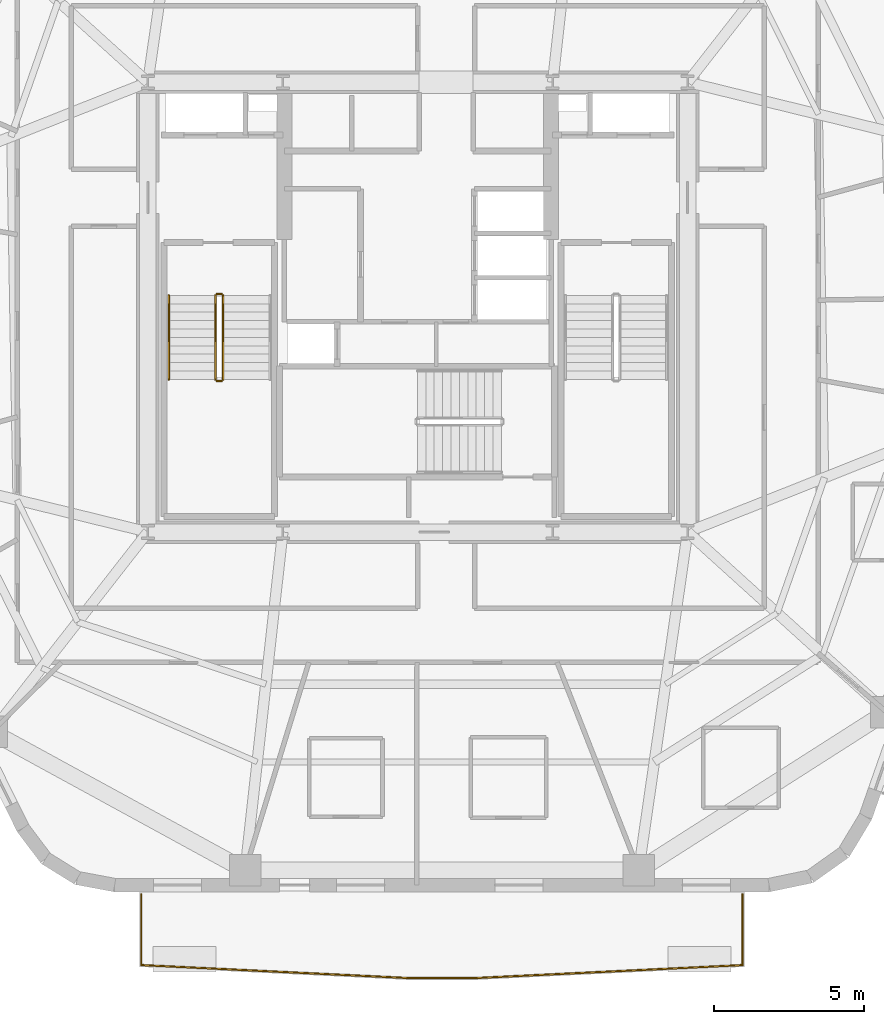
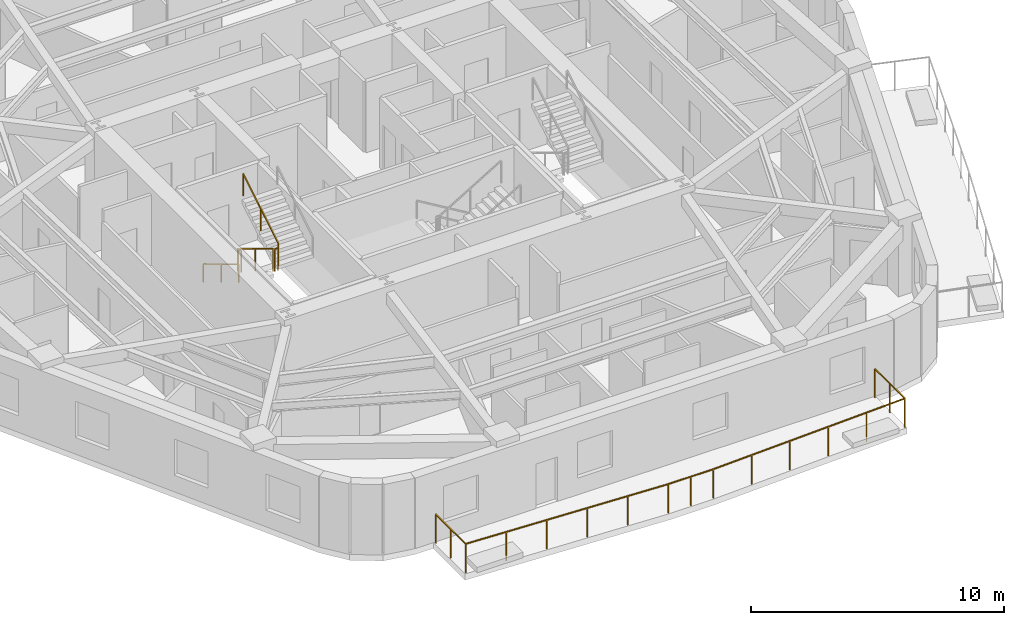
# One storey, part 8 of 11: 6 railings.
"""IFC4 building model written with IfcOpenShell, lengths in metres."""

from ifc_helpers import new_model, si_unit, direction, frame, origin, origin_2d, place, context, subcontext, project, spatial, rectangle, extrude, material, layer, layer_set, type_object, element, save


model = new_model("IFC4")

# Units and contexts
model_context = context("Model", 3, precision=1e-05, world=origin(), true_north=direction((0.0, 1.0)))
body_context = subcontext(model_context, "Body", "Model", "MODEL_VIEW")
ifc_project = project(units=[si_unit("LENGTHUNIT", "METRE"), si_unit("AREAUNIT", "SQUARE_METRE"), si_unit("VOLUMEUNIT", "CUBIC_METRE"), si_unit("PLANEANGLEUNIT", "RADIAN"), si_unit("MASSUNIT", "GRAM", prefix="KILO")], contexts=[model_context])

# Site, building, storey
site_placement = place(None, origin())
site = spatial("IfcSite", under=ifc_project, at=site_placement, CompositionType="ELEMENT")
building_placement = place(site_placement, origin())
building = spatial("IfcBuilding", under=site, at=building_placement, Name="Kilnhurst Terrace Hotel", CompositionType="ELEMENT")
storey_placement = place(building_placement, frame((0.0, 0.0, 194.10009765625)))
storey = spatial("IfcBuildingStorey", under=building, at=storey_placement, Name="L48", CompositionType="ELEMENT", Elevation=194.10009765625)

# Railings
ifc_material_1 = material(Name="Laminated SentryGlas and Stainless Steel AISI 316L Balustrade", Category="steel")
ifc_layer_1 = layer(ifc_material_1, 0.070068359375, Name="Laminated SentryGlas and Stainless Steel AISI 316L Balustrade")
ifc_layer_set_1 = layer_set([ifc_layer_1], Name="Laminated SentryGlas and Stainless Steel AISI 316L Balustrade")
railing_type_1 = type_object("IfcRailingType", Name="RLG-BAL-1420", PredefinedType="BALUSTRADE", material=ifc_layer_set_1)
railing_1_placement = place(storey_placement, frame((10.83349609375, -19.580078125, 0.0)))
element("IfcRailing", 1, at=railing_1_placement, inside=storey, type_object=railing_type_1, Name="L48 Exterior Terrace Guardrail BAL-L1A.1", PredefinedType="BALUSTRADE", context=body_context, shape_type="SweptSolid", body=[
    extrude(rectangle(XDim=0.048095703125, YDim=0.048095703125, at=origin_2d()), frame((0.0, 0.0, 1.39599609375), z_axis=(0.0, -1.0, 0.0), x_axis=(1.0, 0.0, 0.0)), (0.0, 0.0, 1.0), 2.36279296875),
    extrude(rectangle(XDim=0.048095703125, YDim=0.048095703125, at=origin_2d()), frame((0.0, -2.36279296875, 1.39599609375), z_axis=(-0.998822813861, -0.048507592295, 0.0), x_axis=(0.048507592295, -0.998822813861, 0.0)), (0.0, 0.0, 1.0), 9.009033203125),
    extrude(rectangle(XDim=0.048095703125, YDim=0.048095703125, at=origin_2d()), frame((-8.99853515625, -2.7998046875, 1.39599609375), z_axis=(-1.0, 0.0, 0.0), x_axis=(0.0, -1.0, 0.0)), (0.0, 0.0, 1.0), 2.0556640625),
    extrude(rectangle(XDim=0.048095703125, YDim=0.048095703125, at=origin_2d()), frame((-11.05419921875, -2.7998046875, 1.39599609375), z_axis=(-0.998822813861, 0.048507592295, 0.0), x_axis=(-0.048507592295, -0.998822813861, 0.0)), (0.0, 0.0, 1.0), 9.009033203125),
    extrude(rectangle(XDim=0.048095703125, YDim=0.048095703125, at=origin_2d()), frame((-20.052734375, -2.36279296875, 1.39599609375), z_axis=(0.0, 1.0, 0.0), x_axis=(-1.0, 0.0, 0.0)), (0.0, 0.0, 1.0), 2.36279296875),
    extrude(rectangle(XDim=0.0419921875, YDim=0.0419921875, at=origin_2d()), origin(), (0.0, 0.0, 1.0), 1.371826171875),
    extrude(rectangle(XDim=0.0419921875, YDim=0.0419921875, at=origin_2d()), frame((0.0, -1.181396484375, 0.0)), (0.0, 0.0, 1.0), 1.371826171875),
    extrude(rectangle(XDim=0.0419921875, YDim=0.0419921875, at=origin_2d()), frame((0.0, -2.36279296875, 0.0)), (0.0, 0.0, 1.0), 1.371826171875),
    extrude(rectangle(XDim=0.0419921875, YDim=0.0419921875, at=origin_2d()), frame((-1.7998046875, -2.4501953125, 0.0)), (0.0, 0.0, 1.0), 1.371826171875),
    extrude(rectangle(XDim=0.0419921875, YDim=0.0419921875, at=origin_2d()), frame((-3.599365234375, -2.53759765625, 0.0)), (0.0, 0.0, 1.0), 1.371826171875),
    extrude(rectangle(XDim=0.0419921875, YDim=0.0419921875, at=origin_2d()), frame((-5.399169921875, -2.625, 0.0)), (0.0, 0.0, 1.0), 1.371826171875),
    extrude(rectangle(XDim=0.0419921875, YDim=0.0419921875, at=origin_2d()), frame((-7.19873046875, -2.71240234375, 0.0)), (0.0, 0.0, 1.0), 1.371826171875),
    extrude(rectangle(XDim=0.0419921875, YDim=0.0419921875, at=origin_2d()), frame((-8.99853515625, -2.7998046875, 0.0)), (0.0, 0.0, 1.0), 1.371826171875),
    extrude(rectangle(XDim=0.0419921875, YDim=0.0419921875, at=origin_2d()), frame((-10.0263671875, -2.7998046875, 0.0)), (0.0, 0.0, 1.0), 1.371826171875),
    extrude(rectangle(XDim=0.0419921875, YDim=0.0419921875, at=origin_2d()), frame((-11.05419921875, -2.7998046875, 0.0)), (0.0, 0.0, 1.0), 1.371826171875),
    extrude(rectangle(XDim=0.0419921875, YDim=0.0419921875, at=origin_2d()), frame((-12.85400390625, -2.71240234375, 0.0)), (0.0, 0.0, 1.0), 1.371826171875),
    extrude(rectangle(XDim=0.0419921875, YDim=0.0419921875, at=origin_2d()), frame((-14.653564453125, -2.625, 0.0)), (0.0, 0.0, 1.0), 1.371826171875),
    extrude(rectangle(XDim=0.0419921875, YDim=0.0419921875, at=origin_2d()), frame((-16.453369140625, -2.53759765625, 0.0)), (0.0, 0.0, 1.0), 1.371826171875),
    extrude(rectangle(XDim=0.0419921875, YDim=0.0419921875, at=origin_2d()), frame((-18.2529296875, -2.4501953125, 0.0)), (0.0, 0.0, 1.0), 1.371826171875),
    extrude(rectangle(XDim=0.0419921875, YDim=0.0419921875, at=origin_2d()), frame((-20.052734375, -2.36279296875, 0.0)), (0.0, 0.0, 1.0), 1.371826171875),
    extrude(rectangle(XDim=0.0419921875, YDim=0.0419921875, at=origin_2d()), frame((-20.052734375, -1.181396484375, 0.0)), (0.0, 0.0, 1.0), 1.371826171875),
    extrude(rectangle(XDim=0.0419921875, YDim=0.0419921875, at=origin_2d()), frame((-20.052734375, 0.0, 0.0)), (0.0, 0.0, 1.0), 1.371826171875),
])
ifc_material_2 = material(Name="Powder-Coated Steel ASTM A500 Grade B", Category="steel")
ifc_layer_2 = layer(ifc_material_2, 0.050048828125, Name="Powder-Coated Steel ASTM A500 Grade B")
ifc_layer_set_2 = layer_set([ifc_layer_2], Name="Powder-Coated Steel ASTM A500 Grade B")
railing_type_2 = type_object("IfcRailingType", Name="RLG-ST-GRD-1100", PredefinedType="GUARDRAIL", material=ifc_layer_set_2)
railing_2_placement = place(storey_placement, frame((-6.739990234375, 0.389892578125, 0.16796875)))
element("IfcRailing", 2, at=railing_2_placement, inside=storey, type_object=railing_type_2, Name="L48 ST-1 stair guard 1", PredefinedType="GUARDRAIL", context=body_context, shape_type="SweptSolid", body=[
    extrude(rectangle(XDim=0.048095703125, YDim=0.048095703125, at=origin_2d()), frame((0.0, 0.0, 1.076171875), z_axis=(0.0, -0.857222391501, 0.514946377315), x_axis=(1.0, 0.0, 0.0)), (0.0, 0.0, 1.0), 3.26611328125),
    extrude(rectangle(XDim=0.0419921875, YDim=0.0419921875, at=origin_2d()), origin(), (0.0, 0.0, 1.0), 1.052001953125),
    extrude(rectangle(XDim=0.0419921875, YDim=0.0419921875, at=origin_2d()), frame((0.0, -1.39990234375, 0.8408203125)), (0.0, 0.0, 1.0), 1.052001953125),
    extrude(rectangle(XDim=0.0419921875, YDim=0.0419921875, at=origin_2d()), frame((0.0, -2.7998046875, 1.681884765625)), (0.0, 0.0, 1.0), 1.052001953125),
])
railing_3_placement = place(storey_placement, frame((-6.68994140625, -2.4599609375, 1.849853515625)))
element("IfcRailing", 3, at=railing_3_placement, inside=storey, type_object=railing_type_2, Name="L48 ST-1 stair guard 2", PredefinedType="GUARDRAIL", context=body_context, shape_type="SweptSolid", body=[
    extrude(rectangle(XDim=0.048095703125, YDim=0.048095703125, at=origin_2d()), frame((0.0, 0.0, 1.076171875), z_axis=(1.0, 0.0, 0.0), x_axis=(0.0, 1.0, 0.0)), (0.0, 0.0, 1.0), 0.14990234375),
    extrude(rectangle(XDim=0.0419921875, YDim=0.0419921875, at=origin_2d()), origin(), (0.0, 0.0, 1.0), 1.052001953125),
    extrude(rectangle(XDim=0.0419921875, YDim=0.0419921875, at=origin_2d()), frame((0.14990234375, 0.0, 0.0)), (0.0, 0.0, 1.0), 1.052001953125),
])
railing_4_placement = place(storey_placement, frame((-6.489990234375, -2.409912109375, 2.01806640625)))
element("IfcRailing", 4, at=railing_4_placement, inside=storey, type_object=railing_type_2, Name="L48 ST-1 stair guard 3", PredefinedType="GUARDRAIL", context=body_context, shape_type="SweptSolid", body=[
    extrude(rectangle(XDim=0.048095703125, YDim=0.048095703125, at=origin_2d()), frame((0.0, 0.0, 1.076171875), z_axis=(0.0, 0.857222391501, 0.514946377315), x_axis=(-1.0, 0.0, 0.0)), (0.0, 0.0, 1.0), 3.26611328125),
    extrude(rectangle(XDim=0.0419921875, YDim=0.0419921875, at=origin_2d()), origin(), (0.0, 0.0, 1.0), 1.052001953125),
    extrude(rectangle(XDim=0.0419921875, YDim=0.0419921875, at=origin_2d()), frame((0.0, 1.39990234375, 0.8408203125)), (0.0, 0.0, 1.0), 1.052001953125),
    extrude(rectangle(XDim=0.0419921875, YDim=0.0419921875, at=origin_2d()), frame((0.0, 2.7998046875, 1.681884765625)), (0.0, 0.0, 1.0), 1.052001953125),
])
railing_5_placement = place(storey_placement, frame((-6.68994140625, 0.43994140625, 0.0)))
element("IfcRailing", 5, at=railing_5_placement, inside=storey, type_object=railing_type_2, Name="L48 ST-1 stair guard 4", PredefinedType="GUARDRAIL", context=body_context, shape_type="SweptSolid", body=[
    extrude(rectangle(XDim=0.048095703125, YDim=0.048095703125, at=origin_2d()), frame((0.0, 0.0, 1.076171875), z_axis=(1.0, 0.0, 0.0), x_axis=(0.0, 1.0, 0.0)), (0.0, 0.0, 1.0), 0.14990234375),
    extrude(rectangle(XDim=0.0419921875, YDim=0.0419921875, at=origin_2d()), origin(), (0.0, 0.0, 1.0), 1.052001953125),
    extrude(rectangle(XDim=0.0419921875, YDim=0.0419921875, at=origin_2d()), frame((0.14990234375, 0.0, 0.0)), (0.0, 0.0, 1.0), 1.052001953125),
])
ifc_material_3 = material(Name="Brushed Stainless Steel AISI 304", Category="steel")
ifc_layer_3 = layer(ifc_material_3, 0.048095703125, Name="Brushed Stainless Steel AISI 304")
ifc_layer_set_3 = layer_set([ifc_layer_3], Name="Brushed Stainless Steel AISI 304")
railing_type_3 = type_object("IfcRailingType", Name="RLG-ST-HRL-900", PredefinedType="HANDRAIL", material=ifc_layer_set_3)
railing_6_placement = place(storey_placement, frame((-8.300048828125, 0.389892578125, 0.16796875)))
element("IfcRailing", 6, at=railing_6_placement, inside=storey, type_object=railing_type_3, Name="L48 ST-1 stair handrail 1", PredefinedType="HANDRAIL", context=body_context, shape_type="SweptSolid", body=[
    extrude(rectangle(XDim=0.048095703125, YDim=0.048095703125, at=origin_2d()), frame((0.0, 0.0, 0.8759765625), z_axis=(0.0, -0.857222391501, 0.514946377315), x_axis=(1.0, 0.0, 0.0)), (0.0, 0.0, 1.0), 3.26611328125),
    extrude(rectangle(XDim=0.0419921875, YDim=0.0419921875, at=origin_2d()), origin(), (0.0, 0.0, 1.0), 0.851806640625),
    extrude(rectangle(XDim=0.0419921875, YDim=0.0419921875, at=origin_2d()), frame((0.0, -1.39990234375, 0.8408203125)), (0.0, 0.0, 1.0), 0.851806640625),
    extrude(rectangle(XDim=0.0419921875, YDim=0.0419921875, at=origin_2d()), frame((0.0, -2.7998046875, 1.681884765625)), (0.0, 0.0, 1.0), 0.851806640625),
])

save(model, "model.ifc")
